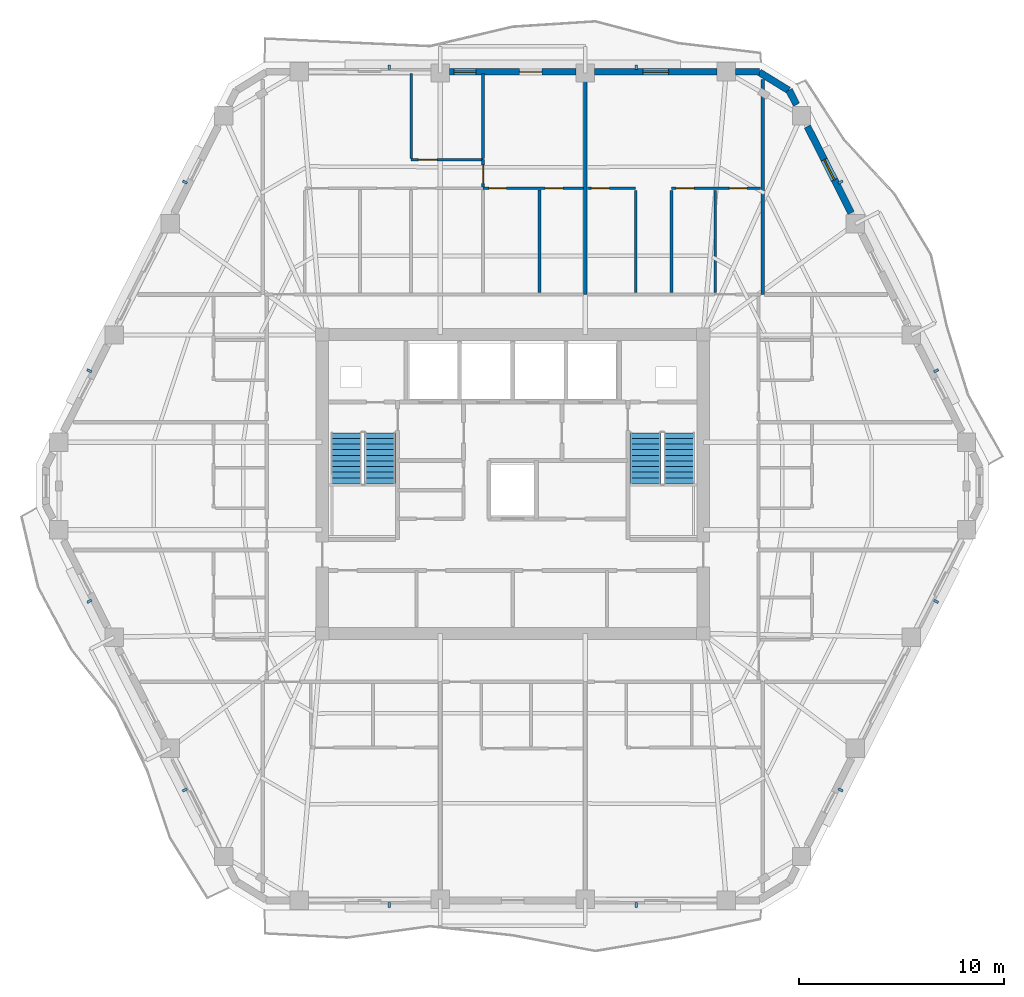
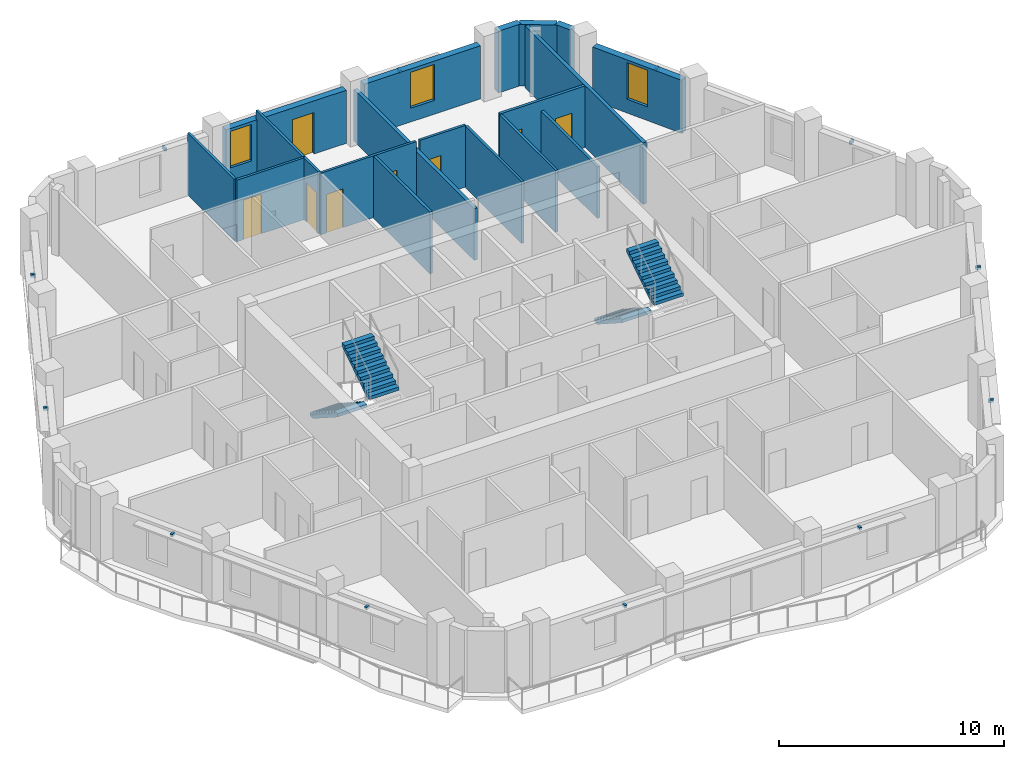
# One storey, part 8 of 11: 19 walls, 12 discrete accessories, 8 doors, 4 stair flights, 3 windows, 11 openings, 2 elements without a shape of their own.
"""IFC4 building model written with IfcOpenShell, lengths in metres."""

import ifcopenshell
import ifcopenshell.guid

model = None  # the IFC model being written
_history = None  # IfcOwnerHistory: only IFC2X3 demands one
_inside = {}  # id of a spatial element -> (the spatial element, [elements in it])
_under = {}  # id of a project, library or spatial element -> (it, [spatial elements below it])
_declared = {}  # id of a project -> (the project, [libraries it declares])
_typed = {}  # id of a type object -> (the type object, [elements of that type])
_made_of = {}  # id of a material, layer set ... -> (it, [elements and type objects made of it])


def new_model(schema):
    """Start an empty IFC model of exactly this schema.

    Asked for "IFC4X3", IfcOpenShell would pick the latest addendum, in which some entities
    have other attributes; the version numbers below select the first issue.
    IFC2X3 requires an IfcOwnerHistory on every rooted entity: one is made here for all.
    """
    global model, _history
    if schema == "IFC4X3":
        model = ifcopenshell.file(schema_version=(4, 3, 0, 0))
    else:
        model = ifcopenshell.file(schema=schema)
    _inside.clear()
    _under.clear()
    _declared.clear()
    _typed.clear()
    _made_of.clear()
    _history = None
    if model.schema == "IFC2X3":
        org = make("IfcOrganization", Name="unknown")
        user = make(
            "IfcPersonAndOrganization",
            ThePerson=make("IfcPerson", FamilyName="unknown"),
            TheOrganization=org,
        )
        app = make(
            "IfcApplication",
            ApplicationDeveloper=org,
            Version="unknown",
            ApplicationFullName="unknown",
            ApplicationIdentifier="unknown",
        )
        _history = make(
            "IfcOwnerHistory",
            OwningUser=user,
            OwningApplication=app,
            ChangeAction="ADDED",
            CreationDate=0,
        )
    return model


def make(cls, **values):
    """One entity of the class cls with the attributes given. An attribute that is None is left unset."""
    return model.create_entity(
        cls, **{name: value for name, value in values.items() if value is not None}
    )


def rooted(cls, **values):
    """An entity with a GlobalId (a new one), such as an element, a storey or a relation."""
    return make(cls, GlobalId=ifcopenshell.guid.new(), OwnerHistory=_history, **values)


def si_unit(unit_type, name, prefix=None):
    """IfcSIUnit, for example si_unit("LENGTHUNIT", "METRE", prefix="MILLI")."""
    return make("IfcSIUnit", UnitType=unit_type, Prefix=prefix, Name=name)


def assignment(units):
    """IfcUnitAssignment: the units of a project."""
    return None if units is None else make("IfcUnitAssignment", Units=units)


def point(xyz):
    """IfcCartesianPoint."""
    return None if xyz is None else make("IfcCartesianPoint", Coordinates=xyz)


def direction(xyz):
    """IfcDirection."""
    return None if xyz is None else make("IfcDirection", DirectionRatios=xyz)


def frame(location, z_axis=None, x_axis=None):
    """IfcAxis2Placement3D, a coordinate frame: its origin and axes. An axis left out is left unset."""
    return make(
        "IfcAxis2Placement3D",
        Location=point(location),
        Axis=direction(z_axis),
        RefDirection=direction(x_axis),
    )


def frame_2d(location, x_axis=None):
    """IfcAxis2Placement2D, a coordinate frame in the plane: its origin and x axis."""
    return make(
        "IfcAxis2Placement2D", Location=point(location), RefDirection=direction(x_axis)
    )


def origin():
    """The frame at (0, 0, 0) with its axes left unset."""
    return frame((0.0, 0.0, 0.0))


def origin_2d():
    """The frame at (0, 0) in the plane with its x axis left unset."""
    return frame_2d((0.0, 0.0))


def place(relative_to, where):
    """IfcLocalPlacement: puts the frame where relative to a parent placement (None: the world)."""
    return make(
        "IfcLocalPlacement", PlacementRelTo=relative_to, RelativePlacement=where
    )


def context(
    kind, dimensions, precision=None, world=None, true_north=None, identifier=None
):
    """IfcGeometricRepresentationContext, for example the 3D "Model" context."""
    return make(
        "IfcGeometricRepresentationContext",
        ContextIdentifier=identifier,
        ContextType=kind,
        CoordinateSpaceDimension=dimensions,
        Precision=precision,
        WorldCoordinateSystem=world,
        TrueNorth=true_north,
    )


def subcontext(parent, identifier, kind, view, scale=None):
    """IfcGeometricRepresentationSubContext, for example "Body" below "Model"."""
    return make(
        "IfcGeometricRepresentationSubContext",
        ContextIdentifier=identifier,
        ContextType=kind,
        ParentContext=parent,
        TargetScale=scale,
        TargetView=view,
    )


def project(units=None, contexts=None):
    """IfcProject with its units and contexts."""
    return rooted(
        "IfcProject",
        Name="project",
        RepresentationContexts=contexts,
        UnitsInContext=assignment(units),
    )


def spatial(cls, under=None, at=None, **own):
    """A site, building, storey or space (cls), placed at a placement, below another one or the project."""
    s = rooted(cls, ObjectPlacement=at, **own)
    if under is not None:
        _under.setdefault(under.id(), (under, []))[1].append(s)
    return s


def polyline(points):
    """IfcPolyline through the points."""
    return make("IfcPolyline", Points=[point(p) for p in points])


def profile(cls, at=None, kind="AREA", **sizes):
    """A parametric profile (cls). Its sizes go by their IFC names, for example OverallWidth=200.0."""
    return make(cls, ProfileType=kind, Position=at, **sizes)


def rectangle(**sizes):
    """IfcRectangleProfileDef."""
    return profile("IfcRectangleProfileDef", **sizes)


def outline(outer, holes=None, kind="AREA"):
    """IfcArbitraryClosedProfileDef: a profile drawn as a closed curve; with holes, ...WithVoids."""
    if holes is None:
        return make("IfcArbitraryClosedProfileDef", ProfileType=kind, OuterCurve=outer)
    return make(
        "IfcArbitraryProfileDefWithVoids",
        ProfileType=kind,
        OuterCurve=outer,
        InnerCurves=holes,
    )


def extrude(swept, where, along, depth):
    """IfcExtrudedAreaSolid: the profile swept, set in the frame where, extruded along a direction by depth."""
    return make(
        "IfcExtrudedAreaSolid",
        SweptArea=swept,
        Position=where,
        ExtrudedDirection=direction(along),
        Depth=depth,
    )


def shape(context_of_items, identifier, shape_type, items):
    """IfcShapeRepresentation: the items that make up one representation, for example the "Body"."""
    return make(
        "IfcShapeRepresentation",
        ContextOfItems=context_of_items,
        RepresentationIdentifier=identifier,
        RepresentationType=shape_type,
        Items=items,
    )


def material(Name=None, Category=None):
    """IfcMaterial."""
    return make("IfcMaterial", Name=Name, Category=Category)


def layer(
    of_material, thickness, ventilated=None, Name=None, Category=None, Priority=None
):
    """IfcMaterialLayer: one layer of a wall or slab, of a material (None: an air gap)."""
    return make(
        "IfcMaterialLayer",
        Material=of_material,
        LayerThickness=thickness,
        IsVentilated=ventilated,
        Name=Name,
        Category=Category,
        Priority=Priority,
    )


def layer_set(layers, Name=None):
    """IfcMaterialLayerSet."""
    return make("IfcMaterialLayerSet", MaterialLayers=layers, LayerSetName=Name)


def made_of(thing, what):
    """Note that an element or type object is made of a material, layer set ...; save() writes the relation."""
    if what is not None:
        _made_of.setdefault(what.id(), (what, []))[1].append(thing)
    return thing


def type_object(cls, material=None, **own):
    """A type object (cls), such as IfcWallType, which elements share."""
    return made_of(rooted(cls, **own), material)


def element(
    cls,
    number,
    at=None,
    inside=None,
    cuts=None,
    type_object=None,
    material=None,
    context=None,
    identifier="Body",
    shape_type=None,
    held_by="IfcProductDefinitionShape",
    body=None,
    shapes=None,
    **own,
):
    """One element of the class cls, such as IfcWall. Its Tag is "e" and its number.

    at: its placement. inside: the storey or other place that contains it. cuts: it is an
    opening in that element (IfcRelVoidsElement). A single representation is given by context,
    identifier, shape_type and body (its items); several are given by shapes. held_by: the class
    of the entity that holds the representations. save() writes the other relations.
    """
    e = rooted(cls, Tag="e%d" % number, ObjectPlacement=at, **own)
    if body is not None:
        shapes = [shape(context, identifier, shape_type, body)]
    if shapes is not None:
        e.Representation = make(held_by, Representations=shapes)
    if inside is not None:
        _inside.setdefault(inside.id(), (inside, []))[1].append(e)
    if cuts is not None:
        rooted(
            "IfcRelVoidsElement", RelatingBuildingElement=cuts, RelatedOpeningElement=e
        )
    if type_object is not None:
        _typed.setdefault(type_object.id(), (type_object, []))[1].append(e)
    return made_of(e, material)


def fill(opening, filler):
    """IfcRelFillsElement: the door or window that sits in an opening."""
    return rooted(
        "IfcRelFillsElement",
        RelatingOpeningElement=opening,
        RelatedBuildingElement=filler,
    )


def aggregate(whole, parts):
    """IfcRelAggregates: a whole, such as a stair, and the parts it consists of."""
    return rooted("IfcRelAggregates", RelatingObject=whole, RelatedObjects=parts)


def save(model, path):
    """Write the relations noted so far, then the file.

    IfcRelAggregates (storeys below a building ...), IfcRelContainedInSpatialStructure (elements
    in a storey), IfcRelDefinesByType, IfcRelAssociatesMaterial and IfcRelDeclares: one each for
    every whole, place, type object, material and project.
    """
    for whole, parts in _under.values():
        aggregate(whole, parts)
    for where, things in _inside.values():
        rooted(
            "IfcRelContainedInSpatialStructure",
            RelatedElements=things,
            RelatingStructure=where,
        )
    for kind, things in _typed.values():
        rooted("IfcRelDefinesByType", RelatedObjects=things, RelatingType=kind)
    for what, things in _made_of.values():
        rooted("IfcRelAssociatesMaterial", RelatedObjects=things, RelatingMaterial=what)
    for by, libraries in _declared.values():
        rooted("IfcRelDeclares", RelatingContext=by, RelatedDefinitions=libraries)
    model.write(path)


model = new_model("IFC4")

# Units and contexts
model_context = context("Model", 3, precision=1e-05, world=origin(), true_north=direction((0.0, 1.0)))
body_context = subcontext(model_context, "Body", "Model", "MODEL_VIEW")
ifc_project = project(units=[si_unit("LENGTHUNIT", "METRE"), si_unit("AREAUNIT", "SQUARE_METRE"), si_unit("VOLUMEUNIT", "CUBIC_METRE"), si_unit("PLANEANGLEUNIT", "RADIAN"), si_unit("MASSUNIT", "GRAM", prefix="KILO")], contexts=[model_context])

# Site, building, storey
site_placement = place(None, origin())
site = spatial("IfcSite", under=ifc_project, at=site_placement, CompositionType="ELEMENT")
building_placement = place(site_placement, origin())
building = spatial("IfcBuilding", under=site, at=building_placement, Name="Cinnabar Lancet Tower", CompositionType="ELEMENT")
storey_placement = place(building_placement, frame((0.0, 0.0, 200.300048828125)))
storey = spatial("IfcBuildingStorey", under=building, at=storey_placement, Name="L53", CompositionType="ELEMENT", Elevation=200.300048828125)

# Walls
ifc_material_1 = material(Name="Fire-rated twin-frame acoustic drywall", Category="gypsum")
ifc_layer_1 = layer(ifc_material_1, 0.179931640625)
ifc_layer_set_1 = layer_set([ifc_layer_1], Name="Fire-rated twin-frame acoustic drywall")
wall_type_1 = type_object("IfcWallType", Name="ARC-WL-PARTY-180", PredefinedType="PARTITIONING", material=ifc_layer_set_1)
wall_1_placement = place(storey_placement, frame((35.943115234375, 35.14990234375, 0.0), z_axis=(0.0, 0.0, 1.0), x_axis=(0.0, 1.0, 0.0)))
element("IfcWall", 1, at=wall_1_placement, inside=storey, type_object=wall_type_1, Name="PW-L53-NPTY-359", PredefinedType="PARTITIONING", context=body_context, shape_type="SweptSolid", body=[
    extrude(rectangle(XDim=10.695068359375, YDim=0.179931640625, at=frame_2d((5.34765625, 0.0))), origin(), (0.0, 0.0, 1.0), 2.806884765625),
])
wall_2_placement = place(storey_placement, frame((44.60009765625, 35.14990234375, 0.0), z_axis=(0.0, 0.0, 1.0), x_axis=(0.0, 1.0, 0.0)))
element("IfcWall", 2, at=wall_2_placement, inside=storey, type_object=wall_type_1, Name="PW-L53-NPTY-446", PredefinedType="PARTITIONING", context=body_context, shape_type="SweptSolid", body=[
    extrude(rectangle(XDim=10.482177734375, YDim=0.179931640625, at=frame_2d((5.2412109375, 0.0))), origin(), (0.0, 0.0, 1.0), 3.349853515625),
])

# Wall, openings, doors
ifc_material_2 = material(Name="Gypsum plasterboard stud partition", Category="gypsum")
ifc_layer_2 = layer(ifc_material_2, 0.125)
ifc_layer_set_2 = layer_set([ifc_layer_2], Name="Gypsum plasterboard stud partition")
wall_type_2 = type_object("IfcWallType", Name="ARC-WL-UNIT-125", PredefinedType="PARTITIONING", material=ifc_layer_set_2)
wall_3_placement = place(storey_placement, frame((30.949951171875, 40.3310546875, 0.0), z_axis=(0.0, 0.0, 1.0), x_axis=(1.0, 0.0, 0.0)))
wall_3 = element("IfcWall", 3, at=wall_3_placement, inside=storey, type_object=wall_type_2, Name="UW-L53-N01-SP2", PredefinedType="PARTITIONING", context=body_context, shape_type="SweptSolid", body=[
    extrude(rectangle(XDim=4.89794921875, YDim=0.125, at=frame_2d((2.448974609375, 0.0))), origin(), (0.0, 0.0, 1.0), 3.349853515625),
])
opening_1_placement = place(wall_3_placement, frame((0.280029296875, 0.0, 0.0)))
opening_1 = element("IfcOpeningElement", 4, at=opening_1_placement, cuts=wall_3, Name="Opening BD-01", PredefinedType="OPENING", context=body_context, shape_type="SweptSolid", body=[
    extrude(rectangle(XDim=0.860107421875, YDim=2.10009765625, at=frame_2d((0.43017578125, 1.050048828125))), frame((0.0, 0.072509765625, 0.0), z_axis=(0.0, -1.0, 0.0), x_axis=(1.0, 0.0, 0.0)), (0.0, 0.0, 1.0), 0.14501953125),
])
opening_2_placement = place(wall_3_placement, frame((3.028076171875, 0.0, 0.0)))
opening_2 = element("IfcOpeningElement", 5, at=opening_2_placement, cuts=wall_3, Name="Opening RD-02", PredefinedType="OPENING", context=body_context, shape_type="SweptSolid", body=[
    extrude(rectangle(XDim=0.8798828125, YDim=2.14990234375, at=frame_2d((0.43994140625, 1.074951171875))), frame((0.0, 0.072509765625, 0.0), z_axis=(0.0, -1.0, 0.0), x_axis=(1.0, 0.0, 0.0)), (0.0, 0.0, 1.0), 0.14501953125),
])
ifc_material_3 = material(Name="Moisture-resistant timber bathroom door", Category="wood")
door_type_1 = type_object("IfcDoorType", Name="ARC-DR-BATH", OperationType="NOTDEFINED", PredefinedType="DOOR", material=ifc_material_3)
door_1_placement = place(opening_1_placement, origin())
door_1 = element("IfcDoor", 6, at=door_1_placement, inside=storey, type_object=door_type_1, Name="DR-L53-N01-ENS", OperationType="SINGLE_SWING_RIGHT", OverallHeight=2.10009765625, OverallWidth=0.860107421875, PredefinedType="DOOR", context=body_context, shape_type="SweptSolid", body=[
    extrude(rectangle(XDim=0.860107421875, YDim=2.10009765625, at=frame_2d((0.43017578125, 1.050048828125))), frame((0.0, 0.02490234375, 0.0), z_axis=(0.0, -1.0, 0.0), x_axis=(1.0, 0.0, 0.0)), (0.0, 0.0, 1.0), 0.050048828125),
])
fill(opening_1, door_1)
ifc_material_4 = material(Name="Engineered timber study door", Category="wood")
door_type_2 = type_object("IfcDoorType", Name="ARC-DR-STUDY", OperationType="NOTDEFINED", PredefinedType="DOOR", material=ifc_material_4)
door_2_placement = place(opening_2_placement, origin())
door_2 = element("IfcDoor", 7, at=door_2_placement, inside=storey, type_object=door_type_2, Name="DR-L53-N01-ENS-WDR", OperationType="SINGLE_SWING_LEFT", OverallHeight=2.14990234375, OverallWidth=0.8798828125, PredefinedType="DOOR", context=body_context, shape_type="SweptSolid", body=[
    extrude(rectangle(XDim=0.8798828125, YDim=2.14990234375, at=frame_2d((0.43994140625, 1.074951171875))), frame((0.0, 0.02490234375, 0.0), z_axis=(0.0, -1.0, 0.0), x_axis=(1.0, 0.0, 0.0)), (0.0, 0.0, 1.0), 0.050048828125),
])
fill(opening_2, door_2)

# Wall
wall_4_placement = place(storey_placement, frame((27.44189453125, 41.7958984375, 0.0), z_axis=(0.0, 0.0, 1.0), x_axis=(0.0, 1.0, 0.0)))
element("IfcWall", 8, at=wall_4_placement, inside=storey, type_object=wall_type_2, Name="UW-L53-N01-BD2W", PredefinedType="PARTITIONING", context=body_context, shape_type="SweptSolid", body=[
    extrude(rectangle(XDim=4.13916015625, YDim=0.125, at=frame_2d((2.069580078125, 0.0))), origin(), (0.0, 0.0, 1.0), 3.349853515625),
])

# Wall, opening, door
wall_5_placement = place(storey_placement, frame((27.44189453125, 41.73095703125, 0.0), z_axis=(0.0, 0.0, 1.0), x_axis=(1.0, 0.0, 0.0)))
wall_5 = element("IfcWall", 9, at=wall_5_placement, inside=storey, type_object=wall_type_2, Name="UW-L53-N01-HLN", PredefinedType="PARTITIONING", context=body_context, shape_type="SweptSolid", body=[
    extrude(rectangle(XDim=3.508056640625, YDim=0.125, at=frame_2d((1.75390625, 0.0))), origin(), (0.0, 0.0, 1.0), 3.349853515625),
])
opening_3_placement = place(wall_5_placement, frame((0.35009765625, 0.0, 0.0)))
opening_3 = element("IfcOpeningElement", 10, at=opening_3_placement, cuts=wall_5, Name="Opening RD-01", PredefinedType="OPENING", context=body_context, shape_type="SweptSolid", body=[
    extrude(rectangle(XDim=0.919921875, YDim=2.14990234375, at=frame_2d((0.4599609375, 1.074951171875))), frame((0.0, 0.072509765625, 0.0), z_axis=(0.0, -1.0, 0.0), x_axis=(1.0, 0.0, 0.0)), (0.0, 0.0, 1.0), 0.14501953125),
])
ifc_material_5 = material(Name="Engineered timber bedroom door", Category="wood")
door_type_3 = type_object("IfcDoorType", Name="ARC-DR-ROOM", OperationType="NOTDEFINED", PredefinedType="DOOR", material=ifc_material_5)
door_3_placement = place(opening_3_placement, origin())
door_3 = element("IfcDoor", 11, at=door_3_placement, inside=storey, type_object=door_type_3, Name="DR-L53-N01-BD2", OperationType="SINGLE_SWING_LEFT", OverallHeight=2.14990234375, OverallWidth=0.919921875, PredefinedType="DOOR", context=body_context, shape_type="SweptSolid", body=[
    extrude(rectangle(XDim=0.919921875, YDim=2.14990234375, at=frame_2d((0.4599609375, 1.074951171875))), frame((0.0, 0.02490234375, 0.0), z_axis=(0.0, -1.0, 0.0), x_axis=(1.0, 0.0, 0.0)), (0.0, 0.0, 1.0), 0.050048828125),
])
fill(opening_3, door_3)

wall_6_placement = place(storey_placement, frame((30.949951171875, 40.40087890625, 0.0), z_axis=(0.0, 0.0, 1.0), x_axis=(0.0, 1.0, 0.0)))
wall_6 = element("IfcWall", 12, at=wall_6_placement, inside=storey, type_object=wall_type_2, Name="UW-L53-N01-MBE", PredefinedType="PARTITIONING", context=body_context, shape_type="SweptSolid", body=[
    extrude(rectangle(XDim=1.330078125, YDim=0.125, at=frame_2d((0.6650390625, 0.0))), origin(), (0.0, 0.0, 1.0), 3.349853515625),
])
opening_4_placement = place(wall_6_placement, frame((0.159912109375, 0.0, 0.0)))
opening_4 = element("IfcOpeningElement", 13, at=opening_4_placement, cuts=wall_6, Name="Opening RD-01", PredefinedType="OPENING", context=body_context, shape_type="SweptSolid", body=[
    extrude(rectangle(XDim=0.919921875, YDim=2.14990234375, at=frame_2d((0.4599609375, 1.074951171875))), frame((0.0, 0.072509765625, 0.0), z_axis=(0.0, -1.0, 0.0), x_axis=(1.0, 0.0, 0.0)), (0.0, 0.0, 1.0), 0.14501953125),
])
door_4_placement = place(opening_4_placement, origin())
door_4 = element("IfcDoor", 14, at=door_4_placement, inside=storey, type_object=door_type_3, Name="DR-L53-N01-MBD", OperationType="SINGLE_SWING_LEFT", OverallHeight=2.14990234375, OverallWidth=0.919921875, PredefinedType="DOOR", context=body_context, shape_type="SweptSolid", body=[
    extrude(rectangle(XDim=0.919921875, YDim=2.14990234375, at=frame_2d((0.4599609375, 1.074951171875))), frame((0.0, 0.02490234375, 0.0), z_axis=(0.0, -1.0, 0.0), x_axis=(1.0, 0.0, 0.0)), (0.0, 0.0, 1.0), 0.050048828125),
])
fill(opening_4, door_4)

# Walls
wall_7_placement = place(storey_placement, frame((30.949951171875, 41.7958984375, 0.0), z_axis=(0.0, 0.0, 1.0), x_axis=(0.0, 1.0, 0.0)))
element("IfcWall", 15, at=wall_7_placement, inside=storey, type_object=wall_type_2, Name="UW-L53-N01-MB2W", PredefinedType="PARTITIONING", context=body_context, shape_type="SweptSolid", body=[
    extrude(rectangle(XDim=4.13916015625, YDim=0.125, at=frame_2d((2.069580078125, 0.0))), origin(), (0.0, 0.0, 1.0), 3.349853515625),
])
for number, where, z_axis, x_axis, name in (
    (16, (40.14990234375, 35.235107421875, 0.0), (0.0, 0.0, 1.0), (0.0, 1.0, 0.0), "UW-L53-N02-FOYE"),
    (17, (38.39990234375, 35.235107421875, 0.0), (0.0, 0.0, 1.0), (0.0, 1.0, 0.0), "UW-L53-N02-FOYW"),
):
    element("IfcWall", number, at=place(storey_placement, frame(where, z_axis=z_axis, x_axis=x_axis)), inside=storey, type_object=wall_type_2, Name=name, PredefinedType="PARTITIONING", context=body_context, shape_type="SweptSolid", body=[
        extrude(rectangle(XDim=4.990966796875, YDim=0.125, at=frame_2d((2.49560546875, 0.0))), origin(), (0.0, 0.0, 1.0), 3.349853515625),
    ])

# Wall, opening, door
wall_8_placement = place(storey_placement, frame((36.0380859375, 40.3310546875, 0.0), z_axis=(0.0, 0.0, 1.0), x_axis=(1.0, 0.0, 0.0)))
wall_8 = element("IfcWall", 18, at=wall_8_placement, inside=storey, type_object=wall_type_2, Name="UW-L53-N02-SP0", PredefinedType="PARTITIONING", context=body_context, shape_type="SweptSolid", body=[
    extrude(rectangle(XDim=2.36181640625, YDim=0.125, at=frame_2d((1.180908203125, 0.0))), origin(), (0.0, 0.0, 1.0), 3.349853515625),
])
opening_5_placement = place(wall_8_placement, frame((0.199951171875, 0.0, 0.0)))
opening_5 = element("IfcOpeningElement", 19, at=opening_5_placement, cuts=wall_8, Name="Opening RD-02", PredefinedType="OPENING", context=body_context, shape_type="SweptSolid", body=[
    extrude(rectangle(XDim=0.8798828125, YDim=2.14990234375, at=frame_2d((0.43994140625, 1.074951171875))), frame((0.0, 0.072509765625, 0.0), z_axis=(0.0, -1.0, 0.0), x_axis=(1.0, 0.0, 0.0)), (0.0, 0.0, 1.0), 0.14501953125),
])
door_5_placement = place(opening_5_placement, origin())
door_5 = element("IfcDoor", 20, at=door_5_placement, inside=storey, type_object=door_type_2, Name="DR-L53-N02-EX0", OperationType="SINGLE_SWING_LEFT", OverallHeight=2.14990234375, OverallWidth=0.8798828125, PredefinedType="DOOR", context=body_context, shape_type="SweptSolid", body=[
    extrude(rectangle(XDim=0.8798828125, YDim=2.14990234375, at=frame_2d((0.43994140625, 1.074951171875))), frame((0.0, 0.02490234375, 0.0), z_axis=(0.0, -1.0, 0.0), x_axis=(1.0, 0.0, 0.0)), (0.0, 0.0, 1.0), 0.050048828125),
])
fill(opening_5, door_5)

# Wall
ifc_material_6 = material(Name="Moisture-resistant cement-board plumbing wall", Category="masonry")
ifc_layer_3 = layer(ifc_material_6, 0.139892578125)
ifc_layer_set_3 = layer_set([ifc_layer_3], Name="Moisture-resistant cement-board plumbing wall")
wall_type_3 = type_object("IfcWallType", Name="ARC-WL-WET-140", PredefinedType="PLUMBINGWALL", material=ifc_layer_set_3)
wall_9_placement = place(storey_placement, frame((33.697998046875, 35.235107421875, 0.0), z_axis=(0.0, 0.0, 1.0), x_axis=(0.0, 1.0, 0.0)))
element("IfcWall", 21, at=wall_9_placement, inside=storey, type_object=wall_type_3, Name="UW-L53-N01-ENS-WDV", PredefinedType="PLUMBINGWALL", context=body_context, shape_type="SweptSolid", body=[
    extrude(rectangle(XDim=5.010986328125, YDim=0.139892578125, at=frame_2d((2.50537109375, 0.0))), origin(), (0.0, 0.0, 1.0), 3.349853515625),
])

# Wall, openings, doors
wall_10_placement = place(storey_placement, frame((40.14990234375, 40.3310546875, 0.0), z_axis=(0.0, 0.0, 1.0), x_axis=(1.0, 0.0, 0.0)))
wall_10 = element("IfcWall", 22, at=wall_10_placement, inside=storey, type_object=wall_type_3, Name="UW-L53-N02-SPL", PredefinedType="PLUMBINGWALL", context=body_context, shape_type="SweptSolid", body=[
    extrude(rectangle(XDim=4.35498046875, YDim=0.139892578125, at=frame_2d((2.177490234375, 0.0))), origin(), (0.0, 0.0, 1.0), 3.349853515625),
])
opening_6_placement = place(wall_10_placement, frame((2.821044921875, 0.0, 0.0)))
opening_6 = element("IfcOpeningElement", 23, at=opening_6_placement, cuts=wall_10, Name="Opening BD-01", PredefinedType="OPENING", context=body_context, shape_type="SweptSolid", body=[
    extrude(rectangle(XDim=0.860107421875, YDim=2.10009765625, at=frame_2d((0.43017578125, 1.050048828125))), frame((0.0, 0.079833984375, 0.0), z_axis=(0.0, -1.0, 0.0), x_axis=(1.0, 0.0, 0.0)), (0.0, 0.0, 1.0), 0.159912109375),
])
opening_7_placement = place(wall_10_placement, frame((0.219970703125, 0.0, 0.0)))
opening_7 = element("IfcOpeningElement", 24, at=opening_7_placement, cuts=wall_10, Name="Opening RD-02", PredefinedType="OPENING", context=body_context, shape_type="SweptSolid", body=[
    extrude(rectangle(XDim=0.8798828125, YDim=2.14990234375, at=frame_2d((0.43994140625, 1.074951171875))), frame((0.0, 0.079833984375, 0.0), z_axis=(0.0, -1.0, 0.0), x_axis=(1.0, 0.0, 0.0)), (0.0, 0.0, 1.0), 0.159912109375),
])
door_6_placement = place(opening_6_placement, origin())
door_6 = element("IfcDoor", 25, at=door_6_placement, inside=storey, type_object=door_type_1, Name="DR-L53-N02-BTH", OperationType="SINGLE_SWING_LEFT", OverallHeight=2.10009765625, OverallWidth=0.860107421875, PredefinedType="DOOR", context=body_context, shape_type="SweptSolid", body=[
    extrude(rectangle(XDim=0.860107421875, YDim=2.10009765625, at=frame_2d((0.43017578125, 1.050048828125))), frame((0.0, 0.02490234375, 0.0), z_axis=(0.0, -1.0, 0.0), x_axis=(1.0, 0.0, 0.0)), (0.0, 0.0, 1.0), 0.050048828125),
])
fill(opening_6, door_6)
door_7_placement = place(opening_7_placement, origin())
door_7 = element("IfcDoor", 26, at=door_7_placement, inside=storey, type_object=door_type_2, Name="DR-L53-N02-KIT", OperationType="SINGLE_SWING_RIGHT", OverallHeight=2.14990234375, OverallWidth=0.8798828125, PredefinedType="DOOR", context=body_context, shape_type="SweptSolid", body=[
    extrude(rectangle(XDim=0.8798828125, YDim=2.14990234375, at=frame_2d((0.43994140625, 1.074951171875))), frame((0.0, 0.02490234375, 0.0), z_axis=(0.0, -1.0, 0.0), x_axis=(1.0, 0.0, 0.0)), (0.0, 0.0, 1.0), 0.050048828125),
])
fill(opening_7, door_7)

# Walls
wall_11_placement = place(storey_placement, frame((42.285888671875, 35.235107421875, 0.0), z_axis=(0.0, 0.0, 1.0), x_axis=(0.0, 1.0, 0.0)))
element("IfcWall", 27, at=wall_11_placement, inside=storey, type_object=wall_type_3, Name="UW-L53-N02-KDV", PredefinedType="PLUMBINGWALL", context=body_context, shape_type="SweptSolid", body=[
    extrude(rectangle(XDim=4.990966796875, YDim=0.139892578125, at=frame_2d((2.49560546875, 0.0))), origin(), (0.0, 0.0, 1.0), 2.806884765625),
])
ifc_material_7 = material(Name="Cinnabar red clay brick", Category="masonry")
ifc_layer_4 = layer(ifc_material_7, 0.340087890625)
ifc_layer_set_4 = layer_set([ifc_layer_4], Name="Cinnabar red clay brick")
wall_type_4 = type_object("IfcWallType", Name="ENV-WL-BRK-RED-340", PredefinedType="STANDARD", material=ifc_layer_set_4)
wall_12_placement = place(storey_placement, frame((45.862060546875, 45.115966796875, 0.0), z_axis=(0.0, 0.0, 1.0), x_axis=(-0.851713271379, 0.524008113828, 0.0)))
element("IfcWall", 28, at=wall_12_placement, inside=storey, type_object=wall_type_4, Name="L53 Chamfered Corner Brick Pier 4.1", PredefinedType="STANDARD", context=body_context, shape_type="SweptSolid", body=[
    extrude(rectangle(XDim=1.677734375, YDim=0.340087890625, at=frame_2d((0.8388671875, 0.0))), origin(), (0.0, 0.0, 1.0), 3.349853515625),
])

# Wall, opening, window
wall_13_placement = place(storey_placement, frame((48.9189453125, 39.1298828125, 0.0), z_axis=(0.0, 0.0, 1.0), x_axis=(-0.45150207307, 0.892270070109, 0.0)))
wall_13 = element("IfcWall", 29, at=wall_13_placement, inside=storey, type_object=wall_type_4, Name="L53 Face 3 Masonry Bay Wall 4", PredefinedType="STANDARD", context=body_context, shape_type="SweptSolid", body=[
    extrude(rectangle(XDim=4.73095703125, YDim=0.340087890625, at=frame_2d((2.365478515625, 0.0))), origin(), (0.0, 0.0, 1.0), 2.883056640625),
])
opening_8_placement = place(wall_13_placement, frame((1.81494140625, 0.0, 0.75)))
opening_8 = element("IfcOpeningElement", 30, at=opening_8_placement, cuts=wall_13, Name="Opening WN-04", PredefinedType="OPENING", context=body_context, shape_type="SweptSolid", body=[
    extrude(rectangle(XDim=1.10009765625, YDim=1.98291015625, at=frame_2d((0.550048828125, 0.991455078125))), frame((0.0, 0.179931640625, 0.0), z_axis=(0.0, -1.0, 0.0), x_axis=(1.0, 0.0, 0.0)), (0.0, 0.0, 1.0), 0.360107421875),
])
ifc_material_8 = material(Name="Thermally broken bronze-anodized aluminium tall lancet window", Category="aluminium")
window_type_1 = type_object("IfcWindowType", Name="ENV-WN-LANCET-1100", PartitioningType="SINGLE_PANEL", PredefinedType="WINDOW", material=ifc_material_8)
window_1_placement = place(opening_8_placement, origin())
window_1 = element("IfcWindow", 31, at=window_1_placement, inside=storey, type_object=window_type_1, Name="L53 Face 3 Gothic Lancet Window 4", OverallHeight=1.98291015625, OverallWidth=1.10009765625, PartitioningType="SINGLE_PANEL", PredefinedType="WINDOW", context=body_context, shape_type="SweptSolid", body=[
    extrude(rectangle(XDim=1.10009765625, YDim=1.98291015625, at=frame_2d((0.550048828125, 0.991455078125))), frame((0.0, 0.030029296875, 0.0), z_axis=(0.0, -1.0, 0.0), x_axis=(1.0, 0.0, 0.0)), (0.0, 0.0, 1.0), 0.06005859375),
])
fill(opening_8, window_1)

# Walls
wall_14_placement = place(storey_placement, frame((46.24609375, 44.4130859375, 0.0), z_axis=(0.0, 0.0, 1.0), x_axis=(-0.451691568309, 0.892174157392, 0.0)))
element("IfcWall", 32, at=wall_14_placement, inside=storey, type_object=wall_type_4, Name="L53 Face 3 Masonry Bay Wall 5", PredefinedType="STANDARD", context=body_context, shape_type="SweptSolid", body=[
    extrude(rectangle(XDim=0.805908203125, YDim=0.340087890625, at=frame_2d((0.40283203125, 0.0))), origin(), (0.0, 0.0, 1.0), 3.349853515625),
])
wall_15_placement = place(storey_placement, frame((44.43798828125, 46.02001953125, 0.0), z_axis=(0.0, 0.0, 1.0), x_axis=(-1.0, 0.0, 0.0)))
element("IfcWall", 33, at=wall_15_placement, inside=storey, type_object=wall_type_4, Name="L53 Face 4 Masonry Bay Wall 1", PredefinedType="STANDARD", context=body_context, shape_type="SweptSolid", body=[
    extrude(rectangle(XDim=1.1630859375, YDim=0.340087890625, at=frame_2d((0.58154296875, 0.0))), origin(), (0.0, 0.0, 1.0), 3.349853515625),
])

# Wall, opening, window
wall_16_placement = place(storey_placement, frame((42.366943359375, 46.02001953125, 0.0), z_axis=(0.0, 0.0, 1.0), x_axis=(-1.0, 0.0, 0.0)))
wall_16 = element("IfcWall", 34, at=wall_16_placement, inside=storey, type_object=wall_type_4, Name="L53 Face 4 Masonry Bay Wall 2", PredefinedType="STANDARD", context=body_context, shape_type="SweptSolid", body=[
    extrude(rectangle(XDim=5.969970703125, YDim=0.340087890625, at=frame_2d((2.98486328125, 0.0))), origin(), (0.0, 0.0, 1.0), 2.883056640625),
])
opening_9_placement = place(wall_16_placement, frame((2.360107421875, 0.0, 0.75)))
opening_9 = element("IfcOpeningElement", 35, at=opening_9_placement, cuts=wall_16, Name="Opening WN-03", PredefinedType="OPENING", context=body_context, shape_type="SweptSolid", body=[
    extrude(rectangle(XDim=1.25, YDim=1.949951171875, at=frame_2d((0.625, 0.97509765625))), frame((0.0, 0.179931640625, 0.0), z_axis=(0.0, -1.0, 0.0), x_axis=(1.0, 0.0, 0.0)), (0.0, 0.0, 1.0), 0.360107421875),
])
ifc_material_9 = material(Name="Thermally broken bronze-anodized aluminium low-E double glazing", Category="aluminium")
window_type_2 = type_object("IfcWindowType", Name="ENV-WN-LANCET-1250", PartitioningType="SINGLE_PANEL", PredefinedType="WINDOW", material=ifc_material_9)
window_2_placement = place(opening_9_placement, origin())
window_2 = element("IfcWindow", 36, at=window_2_placement, inside=storey, type_object=window_type_2, Name="L53 Face 4 Gothic Lancet Window 2", OverallHeight=1.949951171875, OverallWidth=1.25, PartitioningType="SINGLE_PANEL", PredefinedType="WINDOW", context=body_context, shape_type="SweptSolid", body=[
    extrude(rectangle(XDim=1.25, YDim=1.949951171875, at=frame_2d((0.625, 0.97509765625))), frame((0.0, 0.030029296875, 0.0), z_axis=(0.0, -1.0, 0.0), x_axis=(1.0, 0.0, 0.0)), (0.0, 0.0, 1.0), 0.06005859375),
])
fill(opening_9, window_2)

# Wall, openings, door, window
wall_17_placement = place(storey_placement, frame((35.489013671875, 46.02001953125, 0.0), z_axis=(0.0, 0.0, 1.0), x_axis=(-1.0, 0.0, 0.0)))
wall_17 = element("IfcWall", 37, at=wall_17_placement, inside=storey, type_object=wall_type_4, Name="L53 Face 4 Masonry Bay Wall 3", PredefinedType="STANDARD", context=body_context, shape_type="SweptSolid", body=[
    extrude(rectangle(XDim=6.177978515625, YDim=0.340087890625, at=frame_2d((3.0888671875, 0.0))), origin(), (0.0, 0.0, 1.0), 2.883056640625),
])
opening_10_placement = place(wall_17_placement, frame((1.66796875, 0.0, 0.0)))
opening_10 = element("IfcOpeningElement", 38, at=opening_10_placement, cuts=wall_17, Name="Opening TD-01", PredefinedType="OPENING", context=body_context, shape_type="SweptSolid", body=[
    extrude(rectangle(XDim=1.10009765625, YDim=2.25, at=frame_2d((0.550048828125, 1.125))), frame((0.0, 0.179931640625, 0.0), z_axis=(0.0, -1.0, 0.0), x_axis=(1.0, 0.0, 0.0)), (0.0, 0.0, 1.0), 0.360107421875),
])
opening_11_placement = place(wall_17_placement, frame((4.8720703125, 0.0, 0.75)))
opening_11 = element("IfcOpeningElement", 39, at=opening_11_placement, cuts=wall_17, Name="Opening WN-04", PredefinedType="OPENING", context=body_context, shape_type="SweptSolid", body=[
    extrude(rectangle(XDim=1.0859375, YDim=1.98291015625, at=frame_2d((0.54296875, 0.991455078125))), frame((0.0, 0.179931640625, 0.0), z_axis=(0.0, -1.0, 0.0), x_axis=(1.0, 0.0, 0.0)), (0.0, 0.0, 1.0), 0.360107421875),
])
ifc_material_10 = material(Name="Thermally broken low-E glazed balcony terrace door", Category="wood")
door_type_4 = type_object("IfcDoorType", Name="ARC-DR-BALC", OperationType="NOTDEFINED", PredefinedType="DOOR", material=ifc_material_10)
door_8_placement = place(opening_10_placement, origin())
door_8 = element("IfcDoor", 40, at=door_8_placement, inside=storey, type_object=door_type_4, Name="L53 Face 4 Glazed Terrace Door", OperationType="SINGLE_SWING_RIGHT", OverallHeight=2.25, OverallWidth=1.10009765625, PredefinedType="DOOR", context=body_context, shape_type="SweptSolid", body=[
    extrude(rectangle(XDim=1.10009765625, YDim=2.25, at=frame_2d((0.550048828125, 1.125))), frame((0.0, 0.02490234375, 0.0), z_axis=(0.0, -1.0, 0.0), x_axis=(1.0, 0.0, 0.0)), (0.0, 0.0, 1.0), 0.050048828125),
])
fill(opening_10, door_8)
window_3_placement = place(opening_11_placement, origin())
window_3 = element("IfcWindow", 41, at=window_3_placement, inside=storey, type_object=window_type_1, Name="L53 Split-Bay Gothic Lancet Window 179", OverallHeight=1.98291015625, OverallWidth=1.0859375, PartitioningType="SINGLE_PANEL", PredefinedType="WINDOW", context=body_context, shape_type="SweptSolid", body=[
    extrude(rectangle(XDim=1.0859375, YDim=1.98291015625, at=frame_2d((0.54296875, 0.991455078125))), frame((0.0, 0.030029296875, 0.0), z_axis=(0.0, -1.0, 0.0), x_axis=(1.0, 0.0, 0.0)), (0.0, 0.0, 1.0), 0.06005859375),
])
fill(opening_11, window_3)

# Stair, stair flights
ifc_material_11 = material(Name="Concrete C40/50", Category="concrete")
stair_type = type_object("IfcStairType", Name="ST-CORE", PredefinedType="HALF_TURN_STAIR", material=ifc_material_11)
stair_1_placement = place(storey_placement, origin())
stair_1 = element("IfcStair", 42, at=stair_1_placement, inside=storey, type_object=stair_type, Name="L53 ST-1", PredefinedType="HALF_TURN_STAIR")
ifc_material_12 = material(Name="Concrete C40/50", Category="concrete")
stair_flight_type = type_object("IfcStairFlightType", Name="FLIGHT-CORE", PredefinedType="STRAIGHT", material=ifc_material_12)
stair_flight_1_placement = place(storey_placement, frame((24.27490234375, 28.39990234375, 0.0), z_axis=(0.0, 0.0, 1.0), x_axis=(0.0, -1.0, 0.0)))
stair_flight_1 = element("IfcStairFlight", 43, at=stair_flight_1_placement, type_object=stair_flight_type, Name="ST-1 flight 1", NumberOfRisers=10, NumberOfTreads=9, PredefinedType="STRAIGHT", RiserHeight=0.1775, TreadLength=0.275, context=body_context, shape_type="SweptSolid", body=[
    extrude(outline(polyline([(0.0, 0.0), (0.0, 0.177490234375), (0.27490234375, 0.177490234375), (0.27490234375, 0.35498046875), (0.550048828125, 0.35498046875), (0.550048828125, 0.532470703125), (0.824951171875, 0.532470703125), (0.824951171875, 0.7099609375), (1.10009765625, 0.7099609375), (1.10009765625, 0.887451171875), (1.375, 0.887451171875), (1.375, 1.06494140625), (1.64990234375, 1.06494140625), (1.64990234375, 1.242431640625), (1.925048828125, 1.242431640625), (1.925048828125, 1.419921875), (2.199951171875, 1.419921875), (2.199951171875, 1.597412109375), (2.47509765625, 1.597412109375), (2.47509765625, 1.77490234375), (2.47509765625, 1.419189453125), (0.2763671875, 0.0), (0.0, 0.0)])), frame((0.0, 0.75, 0.0), z_axis=(0.0, -1.0, 0.0), x_axis=(1.0, 0.0, 0.0)), (0.0, 0.0, 1.0), 1.5),
])
stair_flight_2_placement = place(storey_placement, frame((25.925048828125, 25.925048828125, 1.77490234375), z_axis=(0.0, 0.0, 1.0), x_axis=(0.0, 1.0, 0.0)))
stair_flight_2 = element("IfcStairFlight", 44, at=stair_flight_2_placement, type_object=stair_flight_type, Name="ST-1 flight 2", NumberOfRisers=10, NumberOfTreads=9, PredefinedType="STRAIGHT", RiserHeight=0.1775, TreadLength=0.275, context=body_context, shape_type="SweptSolid", body=[
    extrude(outline(polyline([(0.0, 0.0), (0.0, 0.177490234375), (0.27490234375, 0.177490234375), (0.27490234375, 0.35498046875), (0.550048828125, 0.35498046875), (0.550048828125, 0.532470703125), (0.824951171875, 0.532470703125), (0.824951171875, 0.7099609375), (1.10009765625, 0.7099609375), (1.10009765625, 0.887451171875), (1.375, 0.887451171875), (1.375, 1.06494140625), (1.64990234375, 1.06494140625), (1.64990234375, 1.242431640625), (1.925048828125, 1.242431640625), (1.925048828125, 1.419921875), (2.199951171875, 1.419921875), (2.199951171875, 1.597412109375), (2.47509765625, 1.597412109375), (2.47509765625, 1.77490234375), (2.47509765625, 1.419189453125), (0.2763671875, 0.0), (0.0, 0.0)])), frame((0.0, 0.75, 0.0), z_axis=(0.0, -1.0, 0.0), x_axis=(1.0, 0.0, 0.0)), (0.0, 0.0, 1.0), 1.5),
])
aggregate(stair_1, [stair_flight_1, stair_flight_2])

stair_2_placement = place(storey_placement, origin())
stair_2 = element("IfcStair", 45, at=stair_2_placement, inside=storey, type_object=stair_type, Name="L53 ST-2", PredefinedType="HALF_TURN_STAIR")
stair_flight_3_placement = place(storey_placement, frame((38.875, 28.39990234375, 0.0), z_axis=(0.0, 0.0, 1.0), x_axis=(0.0, -1.0, 0.0)))
stair_flight_3 = element("IfcStairFlight", 46, at=stair_flight_3_placement, type_object=stair_flight_type, Name="ST-2 flight 1", NumberOfRisers=10, NumberOfTreads=9, PredefinedType="STRAIGHT", RiserHeight=0.1775, TreadLength=0.275, context=body_context, shape_type="SweptSolid", body=[
    extrude(outline(polyline([(0.0, 0.0), (0.0, 0.177490234375), (0.27490234375, 0.177490234375), (0.27490234375, 0.35498046875), (0.550048828125, 0.35498046875), (0.550048828125, 0.532470703125), (0.824951171875, 0.532470703125), (0.824951171875, 0.7099609375), (1.10009765625, 0.7099609375), (1.10009765625, 0.887451171875), (1.375, 0.887451171875), (1.375, 1.06494140625), (1.64990234375, 1.06494140625), (1.64990234375, 1.242431640625), (1.925048828125, 1.242431640625), (1.925048828125, 1.419921875), (2.199951171875, 1.419921875), (2.199951171875, 1.597412109375), (2.47509765625, 1.597412109375), (2.47509765625, 1.77490234375), (2.47509765625, 1.419189453125), (0.2763671875, 0.0), (0.0, 0.0)])), frame((0.0, 0.75, 0.0), z_axis=(0.0, -1.0, 0.0), x_axis=(1.0, 0.0, 0.0)), (0.0, 0.0, 1.0), 1.5),
])
stair_flight_4_placement = place(storey_placement, frame((40.52490234375, 25.925048828125, 1.77490234375), z_axis=(0.0, 0.0, 1.0), x_axis=(0.0, 1.0, 0.0)))
stair_flight_4 = element("IfcStairFlight", 47, at=stair_flight_4_placement, type_object=stair_flight_type, Name="ST-2 flight 2", NumberOfRisers=10, NumberOfTreads=9, PredefinedType="STRAIGHT", RiserHeight=0.1775, TreadLength=0.275, context=body_context, shape_type="SweptSolid", body=[
    extrude(outline(polyline([(0.0, 0.0), (0.0, 0.177490234375), (0.27490234375, 0.177490234375), (0.27490234375, 0.35498046875), (0.550048828125, 0.35498046875), (0.550048828125, 0.532470703125), (0.824951171875, 0.532470703125), (0.824951171875, 0.7099609375), (1.10009765625, 0.7099609375), (1.10009765625, 0.887451171875), (1.375, 0.887451171875), (1.375, 1.06494140625), (1.64990234375, 1.06494140625), (1.64990234375, 1.242431640625), (1.925048828125, 1.242431640625), (1.925048828125, 1.419921875), (2.199951171875, 1.419921875), (2.199951171875, 1.597412109375), (2.47509765625, 1.597412109375), (2.47509765625, 1.77490234375), (2.47509765625, 1.419189453125), (0.2763671875, 0.0), (0.0, 0.0)])), frame((0.0, 0.75, 0.0), z_axis=(0.0, -1.0, 0.0), x_axis=(1.0, 0.0, 0.0)), (0.0, 0.0, 1.0), 1.5),
])
aggregate(stair_2, [stair_flight_3, stair_flight_4])

# Discrete accessories
ifc_material_13 = material(Name="Stainless steel 316 facade fixing bracket", Category="steel")
discrete_accessory_type = type_object("IfcDiscreteAccessoryType", Name="ENV-ACC-BRK-180", PredefinedType="BRACKET", material=ifc_material_13)
for number, where, z_axis, x_axis, name in (
    (48, (26.381103515625, 5.360107421875, 2.60009765625), (0.0, 0.0, 1.0), (1.0, 0.0, 0.0), "L53 Face 1 Sunshade Bracket A"),
    (49, (38.4189453125, 5.360107421875, 2.60009765625), (0.0, 0.0, 1.0), (1.0, 0.0, 0.0), "L53 Face 1 Sunshade Bracket B"),
    (50, (48.403076171875, 10.965087890625, 2.60009765625), (0.0, 0.0, 1.0), (0.45140713236, 0.892318105193, 0.0), "L53 Face 2 Sunshade Bracket A"),
    (51, (53.06201171875, 20.174072265625, 2.60009765625), (0.0, 0.0, 1.0), (0.45140713236, 0.892318105193, 0.0), "L53 Face 2 Sunshade Bracket B"),
    (52, (53.06201171875, 31.426025390625, 2.60009765625), (0.0, 0.0, 1.0), (-0.45140713236, 0.892318105193, 0.0), "L53 Face 3 Sunshade Bracket A"),
    (53, (48.403076171875, 40.635009765625, 2.60009765625), (0.0, 0.0, 1.0), (-0.45140713236, 0.892318105193, 0.0), "L53 Face 3 Sunshade Bracket B"),
    (54, (38.4189453125, 46.239990234375, 2.60009765625), (0.0, 0.0, 1.0), (-1.0, 0.0, 0.0), "L53 Face 4 Sunshade Bracket A"),
    (55, (26.381103515625, 46.239990234375, 2.60009765625), (0.0, 0.0, 1.0), (-1.0, 0.0, 0.0), "L53 Face 4 Sunshade Bracket B"),
    (56, (16.39697265625, 40.635009765625, 2.60009765625), (0.0, 0.0, 1.0), (-0.45140713236, -0.892318105193, 0.0), "L53 Face 5 Sunshade Bracket A"),
    (57, (11.738037109375, 31.426025390625, 2.60009765625), (0.0, 0.0, 1.0), (-0.45140713236, -0.892318105193, 0.0), "L53 Face 5 Sunshade Bracket B"),
    (58, (11.738037109375, 20.174072265625, 2.60009765625), (0.0, 0.0, 1.0), (0.45140713236, -0.892318105193, 0.0), "L53 Face 6 Sunshade Bracket A"),
    (59, (16.39697265625, 10.965087890625, 2.60009765625), (0.0, 0.0, 1.0), (0.45140713236, -0.892318105193, 0.0), "L53 Face 6 Sunshade Bracket B"),
):
    element("IfcDiscreteAccessory", number, at=place(storey_placement, frame(where, z_axis=z_axis, x_axis=x_axis)), inside=storey, type_object=discrete_accessory_type, Name=name, PredefinedType="BRACKET", context=body_context, shape_type="SweptSolid", body=[
        extrude(rectangle(XDim=0.1201171875, YDim=0.239990234375, at=origin_2d()), origin(), (0.0, 0.0, 1.0), 0.159912109375),
    ])

save(model, "model.ifc")
